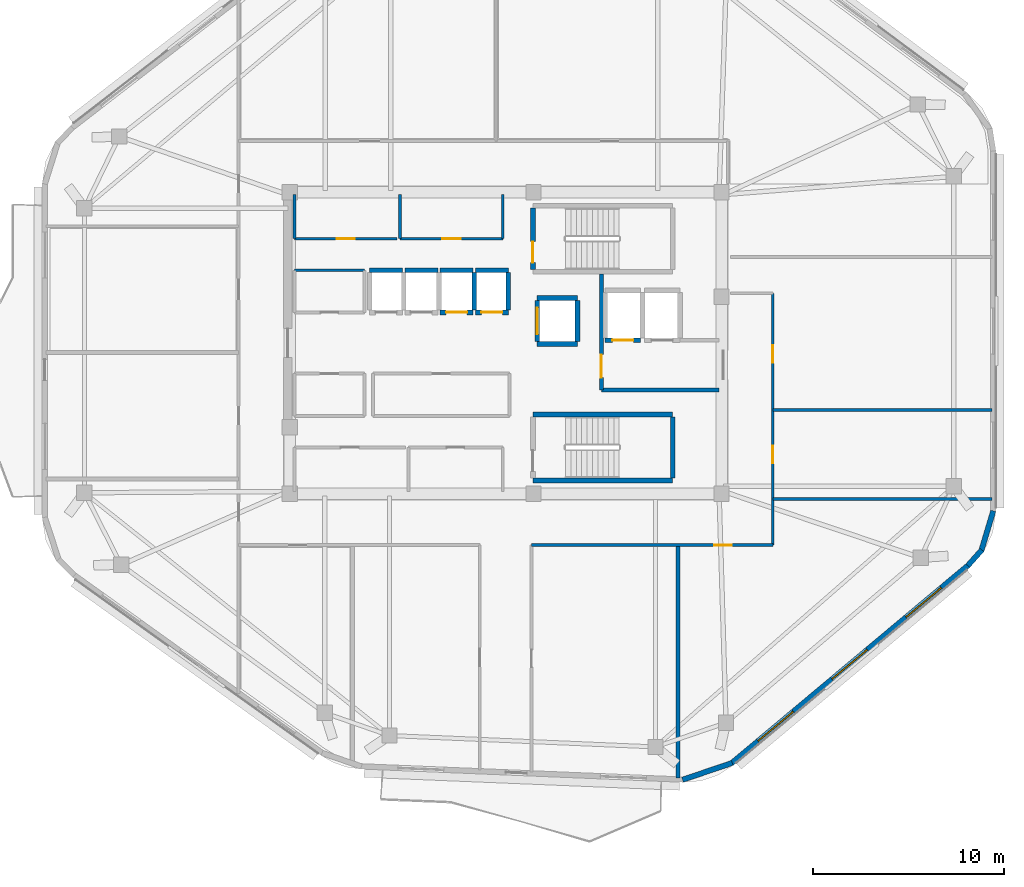
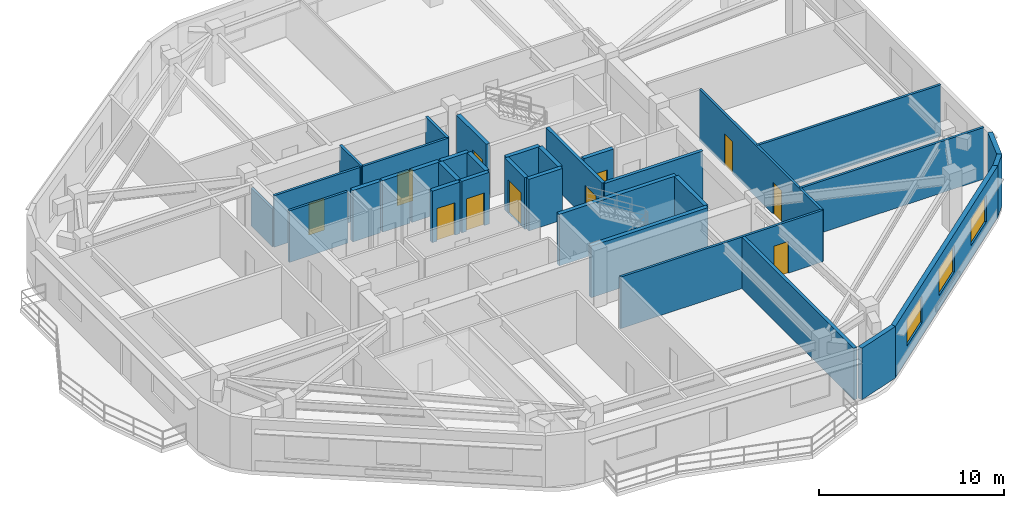
# One storey, part 4 of 9: 34 walls, 11 doors, 3 windows, 14 openings.
"""IFC4 building model written with IfcOpenShell, lengths in metres."""

from ifc_helpers import new_model, si_unit, direction, frame, frame_2d, origin, place, context, subcontext, project, spatial, rectangle, extrude, material, layer, layer_set, type_object, element, fill, save


model = new_model("IFC4")

# Units and contexts
model_context = context("Model", 3, precision=1e-05, world=origin(), true_north=direction((0.0, 1.0)))
body_context = subcontext(model_context, "Body", "Model", "MODEL_VIEW")
ifc_project = project(units=[si_unit("LENGTHUNIT", "METRE"), si_unit("AREAUNIT", "SQUARE_METRE"), si_unit("VOLUMEUNIT", "CUBIC_METRE"), si_unit("PLANEANGLEUNIT", "RADIAN"), si_unit("MASSUNIT", "GRAM", prefix="KILO")], contexts=[model_context])

# Site, building, storey
site_placement = place(None, origin())
site = spatial("IfcSite", under=ifc_project, at=site_placement, CompositionType="ELEMENT")
building_placement = place(site_placement, origin())
building = spatial("IfcBuilding", under=site, at=building_placement, Name="Zulverin Broadcast Headquarters", CompositionType="ELEMENT")
storey_placement = place(building_placement, frame((0.0, 0.0, 304.800048828125)))
storey = spatial("IfcBuildingStorey", under=building, at=storey_placement, Name="L78", CompositionType="ELEMENT", Elevation=304.800048828125)

# Wall
ifc_material_1 = material(Name="Acoustic drywall steel stud", Category="steel")
ifc_layer_1 = layer(ifc_material_1, 0.199951171875, Name="Acoustic drywall steel stud", Category="steel")
ifc_layer_set_1 = layer_set([ifc_layer_1], Name="Acoustic drywall steel stud")
wall_type_1 = type_object("IfcWallType", Name="WL-ACOU-200", PredefinedType="PARTITIONING", material=ifc_layer_set_1)
wall_1_placement = place(storey_placement, frame((46.0, 2.47705078125, 0.0), z_axis=(0.0, 0.0, 1.0), x_axis=(0.0, 1.0, 0.0)))
element("IfcWall", 1, at=wall_1_placement, inside=storey, type_object=wall_type_1, Name="L78 Room Partition Wall RP-03", PredefinedType="PARTITIONING", context=body_context, shape_type="SweptSolid", body=[
    extrude(rectangle(XDim=12.1728515625, YDim=0.199951171875, at=frame_2d((6.08642578125, 0.0))), origin(), (0.0, 0.0, 1.0), 3.39990234375),
])

# Wall, openings, windows
ifc_material_2 = material(Name="Insulated pale-metal clad concrete spandrel C40/50", Category="concrete")
ifc_layer_2 = layer(ifc_material_2, 0.280029296875, Name="Insulated pale-metal clad concrete spandrel C40/50", Category="concrete")
ifc_layer_set_2 = layer_set([ifc_layer_2], Name="Insulated pale-metal clad concrete spandrel C40/50")
wall_type_2 = type_object("IfcWallType", Name="WL-EXT-280", PredefinedType="STANDARD", material=ifc_layer_set_2)
wall_2_placement = place(storey_placement, frame((48.788818359375, 3.249755859375, 0.0), z_axis=(0.0, 0.0, 1.0), x_axis=(0.767032672101, 0.641608042288, 0.0)))
wall_2 = element("IfcWall", 2, at=wall_2_placement, inside=storey, type_object=wall_type_2, Name="L78 Pale-Metal Clad Spandrel Wall 2", PredefinedType="STANDARD", context=body_context, shape_type="SweptSolid", body=[
    extrude(rectangle(XDim=16.11328125, YDim=0.280029296875, at=frame_2d((8.056640625, 0.0))), origin(), (0.0, 0.0, 1.0), 3.39990234375),
])
opening_1_placement = place(wall_2_placement, frame((1.81884765625, 0.0, 0.89990234375)))
opening_1 = element("IfcOpeningElement", 3, at=opening_1_placement, cuts=wall_2, Name="Opening W-L78-E21", PredefinedType="OPENING", context=body_context, shape_type="SweptSolid", body=[
    extrude(rectangle(XDim=2.39990234375, YDim=1.75, at=frame_2d((1.199951171875, 0.875))), frame((0.0, 0.14990234375, 0.0), z_axis=(0.0, -1.0, 0.0), x_axis=(1.0, 0.0, 0.0)), (0.0, 0.0, 1.0), 0.300048828125),
])
opening_2_placement = place(wall_2_placement, frame((6.856689453125, 0.0, 0.89990234375)))
opening_2 = element("IfcOpeningElement", 4, at=opening_2_placement, cuts=wall_2, Name="Opening W-L78-E22", PredefinedType="OPENING", context=body_context, shape_type="SweptSolid", body=[
    extrude(rectangle(XDim=2.39990234375, YDim=1.75, at=frame_2d((1.199951171875, 0.875))), frame((0.0, 0.14990234375, 0.0), z_axis=(0.0, -1.0, 0.0), x_axis=(1.0, 0.0, 0.0)), (0.0, 0.0, 1.0), 0.300048828125),
])
opening_3_placement = place(wall_2_placement, frame((11.89453125, 0.0, 0.89990234375)))
opening_3 = element("IfcOpeningElement", 5, at=opening_3_placement, cuts=wall_2, Name="Opening W-L78-E23", PredefinedType="OPENING", context=body_context, shape_type="SweptSolid", body=[
    extrude(rectangle(XDim=2.39990234375, YDim=1.75, at=frame_2d((1.199951171875, 0.875))), frame((0.0, 0.14990234375, 0.0), z_axis=(0.0, -1.0, 0.0), x_axis=(1.0, 0.0, 0.0)), (0.0, 0.0, 1.0), 0.300048828125),
])
ifc_material_3 = material(Name="Pale anodized aluminium frame with solar-control low-E double glazing", Category="aluminium")
window_type = type_object("IfcWindowType", Name="WIN-RIB-2400", PartitioningType="SINGLE_PANEL", PredefinedType="WINDOW", material=ifc_material_3)
window_1_placement = place(opening_1_placement, origin())
window_1 = element("IfcWindow", 6, at=window_1_placement, inside=storey, type_object=window_type, Name="L78 Ribbon Glazing Window 2 1", OverallHeight=1.75, OverallWidth=2.39990234375, PartitioningType="SINGLE_PANEL", PredefinedType="WINDOW", context=body_context, shape_type="SweptSolid", body=[
    extrude(rectangle(XDim=2.39990234375, YDim=1.75, at=frame_2d((1.199951171875, 0.875))), frame((0.0, 0.030029296875, 0.0), z_axis=(0.0, -1.0, 0.0), x_axis=(1.0, 0.0, 0.0)), (0.0, 0.0, 1.0), 0.06005859375),
])
fill(opening_1, window_1)
window_2_placement = place(opening_2_placement, origin())
window_2 = element("IfcWindow", 7, at=window_2_placement, inside=storey, type_object=window_type, Name="L78 Ribbon Glazing Window 2 2", OverallHeight=1.75, OverallWidth=2.39990234375, PartitioningType="SINGLE_PANEL", PredefinedType="WINDOW", context=body_context, shape_type="SweptSolid", body=[
    extrude(rectangle(XDim=2.39990234375, YDim=1.75, at=frame_2d((1.199951171875, 0.875))), frame((0.0, 0.030029296875, 0.0), z_axis=(0.0, -1.0, 0.0), x_axis=(1.0, 0.0, 0.0)), (0.0, 0.0, 1.0), 0.06005859375),
])
fill(opening_2, window_2)
window_3_placement = place(opening_3_placement, origin())
window_3 = element("IfcWindow", 8, at=window_3_placement, inside=storey, type_object=window_type, Name="L78 Ribbon Glazing Window 2 3", OverallHeight=1.75, OverallWidth=2.39990234375, PartitioningType="SINGLE_PANEL", PredefinedType="WINDOW", context=body_context, shape_type="SweptSolid", body=[
    extrude(rectangle(XDim=2.39990234375, YDim=1.75, at=frame_2d((1.199951171875, 0.875))), frame((0.0, 0.030029296875, 0.0), z_axis=(0.0, -1.0, 0.0), x_axis=(1.0, 0.0, 0.0)), (0.0, 0.0, 1.0), 0.06005859375),
])
fill(opening_3, window_3)

# Walls
wall_3_placement = place(storey_placement, frame((46.239501953125, 2.392822265625, 0.0), z_axis=(0.0, 0.0, 1.0), x_axis=(0.946759165502, 0.321942669643, 0.0)))
element("IfcWall", 9, at=wall_3_placement, inside=storey, type_object=wall_type_2, Name="L78 Wind-Shaped Corner Spandrel Wall 1-1", PredefinedType="STANDARD", context=body_context, shape_type="SweptSolid", body=[
    extrude(rectangle(XDim=2.73974609375, YDim=0.280029296875, at=frame_2d((1.369873046875, 0.0))), origin(), (0.0, 0.0, 1.0), 3.39990234375),
])
wall_4_placement = place(storey_placement, frame((61.133544921875, 13.573974609375, 0.0), z_axis=(0.0, 0.0, 1.0), x_axis=(0.665804679247, 0.74612608123, 0.0)))
element("IfcWall", 10, at=wall_4_placement, inside=storey, type_object=wall_type_2, Name="L78 Wind-Shaped Corner Spandrel Wall 2-1", PredefinedType="STANDARD", context=body_context, shape_type="SweptSolid", body=[
    extrude(rectangle(XDim=1.103271484375, YDim=0.280029296875, at=frame_2d((0.5517578125, 0.0))), origin(), (0.0, 0.0, 1.0), 3.39990234375),
])
wall_5_placement = place(storey_placement, frame((61.838623046875, 14.34423828125, 0.0), z_axis=(0.0, 0.0, 1.0), x_axis=(0.287235049694, 0.957860128739, 0.0)))
element("IfcWall", 11, at=wall_5_placement, inside=storey, type_object=wall_type_2, Name="L78 Wind-Shaped Corner Spandrel Wall 2-2", PredefinedType="STANDARD", context=body_context, shape_type="SweptSolid", body=[
    extrude(rectangle(XDim=2.18359375, YDim=0.280029296875, at=frame_2d((1.091796875, 0.0))), origin(), (0.0, 0.0, 1.0), 3.39990234375),
])

# Wall, opening, door
ifc_material_4 = material(Name="Concrete C40/50", Category="concrete")
ifc_layer_3 = layer(ifc_material_4, 0.199951171875, Name="Concrete C40/50", Category="concrete")
ifc_layer_set_3 = layer_set([ifc_layer_3], Name="Concrete C40/50")
wall_type_3 = type_object("IfcWallType", Name="WL-FFL-200", PredefinedType="SOLIDWALL", material=ifc_layer_set_3)
wall_6_placement = place(storey_placement, frame((42.0, 22.75, 0.0), z_axis=(0.0, 0.0, 1.0), x_axis=(0.0, 1.0, 0.0)))
wall_6 = element("IfcWall", 12, at=wall_6_placement, inside=storey, type_object=wall_type_3, Name="L78 Firefighting Lift Lobby West Wall", PredefinedType="SOLIDWALL", context=body_context, shape_type="SweptSolid", body=[
    extrude(rectangle(XDim=6.050048828125, YDim=0.199951171875, at=frame_2d((3.02490234375, 0.0))), origin(), (0.0, 0.0, 1.0), 3.39990234375),
])
opening_4_placement = place(wall_6_placement, frame((0.64990234375, 0.0, 0.0)))
opening_4 = element("IfcOpeningElement", 13, at=opening_4_placement, cuts=wall_6, Name="Opening D-L78-FFLW", PredefinedType="OPENING", context=body_context, shape_type="SweptSolid", body=[
    extrude(rectangle(XDim=1.199951171875, YDim=2.14990234375, at=frame_2d((0.60009765625, 1.074951171875))), frame((0.0, 0.10986328125, 0.0), z_axis=(0.0, -1.0, 0.0), x_axis=(1.0, 0.0, 0.0)), (0.0, 0.0, 1.0), 0.219970703125),
])
ifc_material_5 = material(Name="Fire-rated steel leaf and frame", Category="steel")
door_type_1 = type_object("IfcDoorType", Name="DR-FFL-1200", OperationType="SINGLE_SWING_RIGHT", PredefinedType="DOOR", material=ifc_material_5)
door_1_placement = place(opening_4_placement, origin())
door_1 = element("IfcDoor", 14, at=door_1_placement, inside=storey, type_object=door_type_1, Name="L78 Firefighting Lift Lobby Door", OperationType="SINGLE_SWING_RIGHT", OverallHeight=2.14990234375, OverallWidth=1.199951171875, PredefinedType="DOOR", context=body_context, shape_type="SweptSolid", body=[
    extrude(rectangle(XDim=1.199951171875, YDim=2.14990234375, at=frame_2d((0.60009765625, 1.074951171875))), frame((0.0, 0.02490234375, 0.0), z_axis=(0.0, -1.0, 0.0), x_axis=(1.0, 0.0, 0.0)), (0.0, 0.0, 1.0), 0.050048828125),
])
fill(opening_4, door_1)

# Wall
wall_7_placement = place(storey_placement, frame((42.0, 22.75, 0.0), z_axis=(0.0, 0.0, 1.0), x_axis=(1.0, 0.0, 0.0)))
element("IfcWall", 15, at=wall_7_placement, inside=storey, type_object=wall_type_3, Name="L78 Firefighting Lift Lobby South Wall", PredefinedType="SOLIDWALL", context=body_context, shape_type="SweptSolid", body=[
    extrude(rectangle(XDim=6.14990234375, YDim=0.199951171875, at=frame_2d((3.074951171875, 0.0))), origin(), (0.0, 0.0, 1.0), 3.39990234375),
])

# Wall, opening, door
ifc_material_6 = material(Name="Fire-rated gypsum stud partition", Category="gypsum")
ifc_layer_4 = layer(ifc_material_6, 0.14990234375, Name="Fire-rated gypsum stud partition", Category="gypsum")
ifc_layer_set_4 = layer_set([ifc_layer_4], Name="Fire-rated gypsum stud partition")
wall_type_4 = type_object("IfcWallType", Name="WL-PART-150", PredefinedType="PARTITIONING", material=ifc_layer_set_4)
wall_8_placement = place(storey_placement, frame((25.969970703125, 30.64990234375, 0.0), z_axis=(0.0, 0.0, 1.0), x_axis=(1.0, 0.0, 0.0)))
wall_8 = element("IfcWall", 16, at=wall_8_placement, inside=storey, type_object=wall_type_4, Name="L78 Core Male WC Front Wall", PredefinedType="PARTITIONING", context=body_context, shape_type="SweptSolid", body=[
    extrude(rectangle(XDim=5.360107421875, YDim=0.14990234375, at=frame_2d((2.68017578125, 0.0))), origin(), (0.0, 0.0, 1.0), 3.39990234375),
])
opening_5_placement = place(wall_8_placement, frame((2.205078125, 0.0, 0.0)))
opening_5 = element("IfcOpeningElement", 17, at=opening_5_placement, cuts=wall_8, Name="Opening D-L78-NC1", PredefinedType="OPENING", context=body_context, shape_type="SweptSolid", body=[
    extrude(rectangle(XDim=0.949951171875, YDim=2.10009765625, at=frame_2d((0.47509765625, 1.050048828125))), frame((0.0, 0.0849609375, 0.0), z_axis=(0.0, -1.0, 0.0), x_axis=(1.0, 0.0, 0.0)), (0.0, 0.0, 1.0), 0.169921875),
])
ifc_material_7 = material(Name="Fire-rated moisture-resistant laminate leaf", Category="wood")
door_type_2 = type_object("IfcDoorType", Name="DR-WC-950", OperationType="SINGLE_SWING_LEFT", PredefinedType="DOOR", material=ifc_material_7)
door_2_placement = place(opening_5_placement, origin())
door_2 = element("IfcDoor", 18, at=door_2_placement, inside=storey, type_object=door_type_2, Name="L78 Male WC Door", OperationType="SINGLE_SWING_LEFT", OverallHeight=2.10009765625, OverallWidth=0.949951171875, PredefinedType="DOOR", context=body_context, shape_type="SweptSolid", body=[
    extrude(rectangle(XDim=0.949951171875, YDim=2.10009765625, at=frame_2d((0.47509765625, 1.050048828125))), frame((0.0, 0.02490234375, 0.0), z_axis=(0.0, -1.0, 0.0), x_axis=(1.0, 0.0, 0.0)), (0.0, 0.0, 1.0), 0.050048828125),
])
fill(opening_5, door_2)

# Wall
wall_9_placement = place(storey_placement, frame((25.969970703125, 30.64990234375, 0.0), z_axis=(0.0, 0.0, 1.0), x_axis=(0.0, 1.0, 0.0)))
element("IfcWall", 19, at=wall_9_placement, inside=storey, type_object=wall_type_4, Name="L78 Core Male WC West Wall", PredefinedType="PARTITIONING", context=body_context, shape_type="SweptSolid", body=[
    extrude(rectangle(XDim=2.300048828125, YDim=0.14990234375, at=frame_2d((1.14990234375, 0.0))), origin(), (0.0, 0.0, 1.0), 2.5),
])

# Wall, opening, door
wall_10_placement = place(storey_placement, frame((31.489990234375, 30.64990234375, 0.0), z_axis=(0.0, 0.0, 1.0), x_axis=(1.0, 0.0, 0.0)))
wall_10 = element("IfcWall", 20, at=wall_10_placement, inside=storey, type_object=wall_type_4, Name="L78 Core Accessible WC Front Wall", PredefinedType="PARTITIONING", context=body_context, shape_type="SweptSolid", body=[
    extrude(rectangle(XDim=5.360107421875, YDim=0.14990234375, at=frame_2d((2.68017578125, 0.0))), origin(), (0.0, 0.0, 1.0), 3.39990234375),
])
opening_6_placement = place(wall_10_placement, frame((2.205078125, 0.0, 0.0)))
opening_6 = element("IfcOpeningElement", 21, at=opening_6_placement, cuts=wall_10, Name="Opening D-L78-NC2", PredefinedType="OPENING", context=body_context, shape_type="SweptSolid", body=[
    extrude(rectangle(XDim=0.949951171875, YDim=2.10009765625, at=frame_2d((0.47509765625, 1.050048828125))), frame((0.0, 0.0849609375, 0.0), z_axis=(0.0, -1.0, 0.0), x_axis=(1.0, 0.0, 0.0)), (0.0, 0.0, 1.0), 0.169921875),
])
door_3_placement = place(opening_6_placement, origin())
door_3 = element("IfcDoor", 22, at=door_3_placement, inside=storey, type_object=door_type_2, Name="L78 Accessible WC Door", OperationType="SINGLE_SWING_RIGHT", OverallHeight=2.10009765625, OverallWidth=0.949951171875, PredefinedType="DOOR", context=body_context, shape_type="SweptSolid", body=[
    extrude(rectangle(XDim=0.949951171875, YDim=2.10009765625, at=frame_2d((0.47509765625, 1.050048828125))), frame((0.0, 0.02490234375, 0.0), z_axis=(0.0, -1.0, 0.0), x_axis=(1.0, 0.0, 0.0)), (0.0, 0.0, 1.0), 0.050048828125),
])
fill(opening_6, door_3)

# Walls
for number, where, z_axis, x_axis, name in (
    (23, (31.489990234375, 30.64990234375, 0.0), (0.0, 0.0, 1.0), (0.0, 1.0, 0.0), "L78 Core Accessible WC West Wall"),
    (24, (36.85009765625, 30.64990234375, 0.0), (0.0, 0.0, 1.0), (0.0, 1.0, 0.0), "L78 Core Accessible WC East Wall"),
):
    element("IfcWall", number, at=place(storey_placement, frame(where, z_axis=z_axis, x_axis=x_axis)), inside=storey, type_object=wall_type_4, Name=name, PredefinedType="PARTITIONING", context=body_context, shape_type="SweptSolid", body=[
        extrude(rectangle(XDim=2.300048828125, YDim=0.14990234375, at=frame_2d((1.14990234375, 0.0))), origin(), (0.0, 0.0, 1.0), 3.39990234375),
    ])
wall_11_placement = place(storey_placement, frame((25.969970703125, 29.0, 0.0), z_axis=(0.0, 0.0, 1.0), x_axis=(1.0, 0.0, 0.0)))
element("IfcWall", 25, at=wall_11_placement, inside=storey, type_object=wall_type_4, Name="L78 Broadcast Signal Patch Room N Wall", PredefinedType="PARTITIONING", context=body_context, shape_type="SweptSolid", body=[
    extrude(rectangle(XDim=3.650146484375, YDim=0.14990234375, at=frame_2d((1.8251953125, 0.0))), origin(), (0.0, 0.0, 1.0), 3.39990234375),
])

# Wall, openings, doors
wall_12_placement = place(storey_placement, frame((50.949951171875, 14.64990234375, 0.0), z_axis=(0.0, 0.0, 1.0), x_axis=(0.0, 1.0, 0.0)))
wall_12 = element("IfcWall", 26, at=wall_12_placement, inside=storey, type_object=wall_type_4, Name="L78 Gallery Partition Wall CG-01", PredefinedType="PARTITIONING", context=body_context, shape_type="SweptSolid", body=[
    extrude(rectangle(XDim=13.150146484375, YDim=0.14990234375, at=frame_2d((6.5751953125, 0.0))), origin(), (0.0, 0.0, 1.0), 3.39990234375),
])
opening_7_placement = place(wall_12_placement, frame((4.27490234375, 0.0, 0.0)))
opening_7 = element("IfcOpeningElement", 27, at=opening_7_placement, cuts=wall_12, Name="Opening D-L78-11", PredefinedType="OPENING", context=body_context, shape_type="SweptSolid", body=[
    extrude(rectangle(XDim=0.89990234375, YDim=2.10009765625, at=frame_2d((0.449951171875, 1.050048828125))), frame((0.0, 0.0849609375, 0.0), z_axis=(0.0, -1.0, 0.0), x_axis=(1.0, 0.0, 0.0)), (0.0, 0.0, 1.0), 0.169921875),
])
opening_8_placement = place(wall_12_placement, frame((9.530029296875, 0.0, 0.0)))
opening_8 = element("IfcOpeningElement", 28, at=opening_8_placement, cuts=wall_12, Name="Opening D-L78-12", PredefinedType="OPENING", context=body_context, shape_type="SweptSolid", body=[
    extrude(rectangle(XDim=0.89990234375, YDim=2.10009765625, at=frame_2d((0.449951171875, 1.050048828125))), frame((0.0, 0.0849609375, 0.0), z_axis=(0.0, -1.0, 0.0), x_axis=(1.0, 0.0, 0.0)), (0.0, 0.0, 1.0), 0.169921875),
])
ifc_material_8 = material(Name="Fire-rated hardwood veneer timber leaf", Category="wood")
door_type_3 = type_object("IfcDoorType", Name="DR-ROOM-900", OperationType="SINGLE_SWING_RIGHT", PredefinedType="DOOR", material=ifc_material_8)
door_4_placement = place(opening_7_placement, origin())
door_4 = element("IfcDoor", 29, at=door_4_placement, inside=storey, type_object=door_type_3, Name="L78 Broadcast Heritage Museum Door", OperationType="SINGLE_SWING_RIGHT", OverallHeight=2.10009765625, OverallWidth=0.89990234375, PredefinedType="DOOR", context=body_context, shape_type="SweptSolid", body=[
    extrude(rectangle(XDim=0.89990234375, YDim=2.10009765625, at=frame_2d((0.449951171875, 1.050048828125))), frame((0.0, 0.02490234375, 0.0), z_axis=(0.0, -1.0, 0.0), x_axis=(1.0, 0.0, 0.0)), (0.0, 0.0, 1.0), 0.050048828125),
])
fill(opening_7, door_4)
door_5_placement = place(opening_8_placement, origin())
door_5 = element("IfcDoor", 30, at=door_5_placement, inside=storey, type_object=door_type_3, Name="L78 Executive Screening Suite Door", OperationType="SINGLE_SWING_LEFT", OverallHeight=2.10009765625, OverallWidth=0.89990234375, PredefinedType="DOOR", context=body_context, shape_type="SweptSolid", body=[
    extrude(rectangle(XDim=0.89990234375, YDim=2.10009765625, at=frame_2d((0.449951171875, 1.050048828125))), frame((0.0, 0.02490234375, 0.0), z_axis=(0.0, -1.0, 0.0), x_axis=(1.0, 0.0, 0.0)), (0.0, 0.0, 1.0), 0.050048828125),
])
fill(opening_8, door_5)

# Wall, opening, door
wall_13_placement = place(storey_placement, frame((38.35009765625, 14.64990234375, 0.0), z_axis=(0.0, 0.0, 1.0), x_axis=(1.0, 0.0, 0.0)))
wall_13 = element("IfcWall", 31, at=wall_13_placement, inside=storey, type_object=wall_type_4, Name="L78 Gallery Partition Wall CG-10", PredefinedType="PARTITIONING", context=body_context, shape_type="SweptSolid", body=[
    extrude(rectangle(XDim=12.599853515625, YDim=0.14990234375, at=frame_2d((6.2998046875, 0.0))), origin(), (0.0, 0.0, 1.0), 3.39990234375),
])
opening_9_placement = place(wall_13_placement, frame((9.554931640625, 0.0, 0.0)))
opening_9 = element("IfcOpeningElement", 32, at=opening_9_placement, cuts=wall_13, Name="Opening D-L78-06", PredefinedType="OPENING", context=body_context, shape_type="SweptSolid", body=[
    extrude(rectangle(XDim=0.89990234375, YDim=2.10009765625, at=frame_2d((0.449951171875, 1.050048828125))), frame((0.0, 0.0849609375, 0.0), z_axis=(0.0, -1.0, 0.0), x_axis=(1.0, 0.0, 0.0)), (0.0, 0.0, 1.0), 0.169921875),
])
door_6_placement = place(opening_9_placement, origin())
door_6 = element("IfcDoor", 33, at=door_6_placement, inside=storey, type_object=door_type_3, Name="L78 Panorama Cafe & Bar Door", OperationType="SINGLE_SWING_LEFT", OverallHeight=2.10009765625, OverallWidth=0.89990234375, PredefinedType="DOOR", context=body_context, shape_type="SweptSolid", body=[
    extrude(rectangle(XDim=0.89990234375, YDim=2.10009765625, at=frame_2d((0.449951171875, 1.050048828125))), frame((0.0, 0.02490234375, 0.0), z_axis=(0.0, -1.0, 0.0), x_axis=(1.0, 0.0, 0.0)), (0.0, 0.0, 1.0), 0.050048828125),
])
fill(opening_9, door_6)

# Walls
for number, where, z_axis, x_axis, name in (
    (34, (50.949951171875, 17.050048828125, 0.0), (0.0, 0.0, 1.0), (1.0, 0.0, 0.0), "L78 Room Partition Wall RP-11"),
    (35, (50.949951171875, 21.699951171875, 0.0), (0.0, 0.0, 1.0), (1.0, 0.0, 0.0), "L78 Room Partition Wall RP-13"),
):
    element("IfcWall", number, at=place(storey_placement, frame(where, z_axis=z_axis, x_axis=x_axis)), inside=storey, type_object=wall_type_4, Name=name, PredefinedType="PARTITIONING", context=body_context, shape_type="SweptSolid", body=[
        extrude(rectangle(XDim=11.445068359375, YDim=0.14990234375, at=frame_2d((5.72265625, 0.0))), origin(), (0.0, 0.0, 1.0), 3.39990234375),
    ])

# Wall, opening, door
ifc_material_9 = material(Name="Concrete C50/60", Category="concrete")
ifc_layer_5 = layer(ifc_material_9, 0.25, Name="Concrete C50/60", Category="concrete")
ifc_layer_set_5 = layer_set([ifc_layer_5], Name="Concrete C50/60")
wall_type_5 = type_object("IfcWallType", Name="WL-SHAFT-250", PredefinedType="SHEAR", material=ifc_layer_set_5)
wall_14_placement = place(storey_placement, frame((38.425048828125, 29.050048828125, 0.0), z_axis=(0.0, 0.0, 1.0), x_axis=(0.0, 1.0, 0.0)))
wall_14 = element("IfcWall", 36, at=wall_14_placement, inside=storey, type_object=wall_type_5, Name="L78 ST-1 Enclosure Wall W", PredefinedType="SHEAR", context=body_context, shape_type="SweptSolid", body=[
    extrude(rectangle(XDim=3.199951171875, YDim=0.25, at=frame_2d((1.60009765625, 0.0))), origin(), (0.0, 0.0, 1.0), 3.39990234375),
])
opening_10_placement = place(wall_14_placement, frame((0.35009765625, 0.0, 0.0)))
opening_10 = element("IfcOpeningElement", 37, at=opening_10_placement, cuts=wall_14, Name="Opening D-L78-ST-1", PredefinedType="OPENING", context=body_context, shape_type="SweptSolid", body=[
    extrude(rectangle(XDim=1.10009765625, YDim=2.14990234375, at=frame_2d((0.550048828125, 1.074951171875))), frame((0.0, 0.135009765625, 0.0), z_axis=(0.0, -1.0, 0.0), x_axis=(1.0, 0.0, 0.0)), (0.0, 0.0, 1.0), 0.27001953125),
])
door_type_4 = type_object("IfcDoorType", Name="DR-STAIR-1100", OperationType="SINGLE_SWING_LEFT", PredefinedType="DOOR", material=ifc_material_5)
door_7_placement = place(opening_10_placement, origin())
door_7 = element("IfcDoor", 38, at=door_7_placement, inside=storey, type_object=door_type_4, Name="L78 Exit Stair ST-1 Fire Door", OperationType="SINGLE_SWING_LEFT", OverallHeight=2.14990234375, OverallWidth=1.10009765625, PredefinedType="DOOR", context=body_context, shape_type="SweptSolid", body=[
    extrude(rectangle(XDim=1.10009765625, YDim=2.14990234375, at=frame_2d((0.550048828125, 1.074951171875))), frame((0.0, 0.02490234375, 0.0), z_axis=(0.0, -1.0, 0.0), x_axis=(1.0, 0.0, 0.0)), (0.0, 0.0, 1.0), 0.050048828125),
])
fill(opening_10, door_7)

# Walls
for number, where, z_axis, x_axis, name in (
    (39, (38.425048828125, 18.02490234375, 0.0), (0.0, 0.0, 1.0), (1.0, 0.0, 0.0), "L78 ST-2 Enclosure Wall S"),
    (40, (38.425048828125, 21.47509765625, 0.0), (0.0, 0.0, 1.0), (1.0, 0.0, 0.0), "L78 ST-2 Enclosure Wall N"),
):
    element("IfcWall", number, at=place(storey_placement, frame(where, z_axis=z_axis, x_axis=x_axis)), inside=storey, type_object=wall_type_5, Name=name, PredefinedType="SHEAR", context=body_context, shape_type="SweptSolid", body=[
        extrude(rectangle(XDim=7.300048828125, YDim=0.25, at=frame_2d((3.64990234375, 0.0))), origin(), (0.0, 0.0, 1.0), 3.39990234375),
    ])
wall_15_placement = place(storey_placement, frame((45.72509765625, 18.14990234375, 0.0), z_axis=(0.0, 0.0, 1.0), x_axis=(0.0, 1.0, 0.0)))
element("IfcWall", 41, at=wall_15_placement, inside=storey, type_object=wall_type_5, Name="L78 ST-2 Enclosure Wall E", PredefinedType="SHEAR", context=body_context, shape_type="SweptSolid", body=[
    extrude(rectangle(XDim=3.2001953125, YDim=0.25, at=frame_2d((1.60009765625, 0.0))), origin(), (0.0, 0.0, 1.0), 3.39990234375),
])
wall_16_placement = place(storey_placement, frame((29.89990234375, 29.0, 0.0), z_axis=(0.0, 0.0, 1.0), x_axis=(1.0, 0.0, 0.0)))
element("IfcWall", 42, at=wall_16_placement, inside=storey, type_object=wall_type_5, Name="L78 Lift PL-H1 Shaft Wall N", PredefinedType="SHEAR", context=body_context, shape_type="SweptSolid", body=[
    extrude(rectangle(XDim=1.72021484375, YDim=0.25, at=frame_2d((0.860107421875, 0.0))), origin(), (0.0, 0.0, 1.0), 3.39990234375),
])
wall_17_placement = place(storey_placement, frame((31.739990234375, 29.0, 0.0), z_axis=(0.0, 0.0, 1.0), x_axis=(1.0, 0.0, 0.0)))
element("IfcWall", 43, at=wall_17_placement, inside=storey, type_object=wall_type_5, Name="L78 Lift PL-H2 Shaft Wall N", PredefinedType="SHEAR", context=body_context, shape_type="SweptSolid", body=[
    extrude(rectangle(XDim=1.719970703125, YDim=0.25, at=frame_2d((0.85986328125, 0.0))), origin(), (0.0, 0.0, 1.0), 3.39990234375),
])

# Wall, opening, door
wall_18_placement = place(storey_placement, frame((33.580078125, 26.800048828125, 0.0), z_axis=(0.0, 0.0, 1.0), x_axis=(1.0, 0.0, 0.0)))
wall_18 = element("IfcWall", 44, at=wall_18_placement, inside=storey, type_object=wall_type_5, Name="L78 Lift PL-H3 Shaft Wall S", PredefinedType="SHEAR", context=body_context, shape_type="SweptSolid", body=[
    extrude(rectangle(XDim=1.719970703125, YDim=0.25, at=frame_2d((0.85986328125, 0.0))), origin(), (0.0, 0.0, 1.0), 3.39990234375),
])
opening_11_placement = place(wall_18_placement, frame((0.31005859375, 0.0, 0.0)))
opening_11 = element("IfcOpeningElement", 45, at=opening_11_placement, cuts=wall_18, Name="Opening LD-PL-H3-L78", PredefinedType="OPENING", context=body_context, shape_type="SweptSolid", body=[
    extrude(rectangle(XDim=1.10009765625, YDim=2.14990234375, at=frame_2d((0.550048828125, 1.074951171875))), frame((0.0, 0.135009765625, 0.0), z_axis=(0.0, -1.0, 0.0), x_axis=(1.0, 0.0, 0.0)), (0.0, 0.0, 1.0), 0.27001953125),
])
ifc_material_10 = material(Name="Brushed stainless steel landing", Category="steel")
door_type_5 = type_object("IfcDoorType", Name="LD-PASS-1100", OperationType="DOUBLE_DOOR_SLIDING", PredefinedType="DOOR", material=ifc_material_10)
door_8_placement = place(opening_11_placement, origin())
door_8 = element("IfcDoor", 46, at=door_8_placement, inside=storey, type_object=door_type_5, Name="L78 Lift PL-H3 Sliding Landing Door", OperationType="DOUBLE_DOOR_SLIDING", OverallHeight=2.14990234375, OverallWidth=1.10009765625, PredefinedType="DOOR", context=body_context, shape_type="SweptSolid", body=[
    extrude(rectangle(XDim=1.10009765625, YDim=2.14990234375, at=frame_2d((0.550048828125, 1.074951171875))), frame((0.0, 0.02490234375, 0.0), z_axis=(0.0, -1.0, 0.0), x_axis=(1.0, 0.0, 0.0)), (0.0, 0.0, 1.0), 0.050048828125),
])
fill(opening_11, door_8)

# Walls
wall_19_placement = place(storey_placement, frame((33.580078125, 29.0, 0.0), z_axis=(0.0, 0.0, 1.0), x_axis=(1.0, 0.0, 0.0)))
element("IfcWall", 47, at=wall_19_placement, inside=storey, type_object=wall_type_5, Name="L78 Lift PL-H3 Shaft Wall N", PredefinedType="SHEAR", context=body_context, shape_type="SweptSolid", body=[
    extrude(rectangle(XDim=1.719970703125, YDim=0.25, at=frame_2d((0.85986328125, 0.0))), origin(), (0.0, 0.0, 1.0), 3.39990234375),
])
wall_20_placement = place(storey_placement, frame((35.360107421875, 26.919921875, 0.0), z_axis=(0.0, 0.0, 1.0), x_axis=(0.0, 1.0, 0.0)))
element("IfcWall", 48, at=wall_20_placement, inside=storey, type_object=wall_type_5, Name="L78 Lift PL-H3 Shaft Wall E", PredefinedType="SHEAR", context=body_context, shape_type="SweptSolid", body=[
    extrude(rectangle(XDim=1.9599609375, YDim=0.25, at=frame_2d((0.97998046875, 0.0))), origin(), (0.0, 0.0, 1.0), 3.39990234375),
])

# Wall, opening, door
wall_21_placement = place(storey_placement, frame((35.419921875, 26.800048828125, 0.0), z_axis=(0.0, 0.0, 1.0), x_axis=(1.0, 0.0, 0.0)))
wall_21 = element("IfcWall", 49, at=wall_21_placement, inside=storey, type_object=wall_type_5, Name="L78 Lift PL-H4 Shaft Wall S", PredefinedType="SHEAR", context=body_context, shape_type="SweptSolid", body=[
    extrude(rectangle(XDim=1.719970703125, YDim=0.25, at=frame_2d((0.85986328125, 0.0))), origin(), (0.0, 0.0, 1.0), 3.39990234375),
])
opening_12_placement = place(wall_21_placement, frame((0.31005859375, 0.0, 0.0)))
opening_12 = element("IfcOpeningElement", 50, at=opening_12_placement, cuts=wall_21, Name="Opening LD-PL-H4-L78", PredefinedType="OPENING", context=body_context, shape_type="SweptSolid", body=[
    extrude(rectangle(XDim=1.10009765625, YDim=2.14990234375, at=frame_2d((0.550048828125, 1.074951171875))), frame((0.0, 0.135009765625, 0.0), z_axis=(0.0, -1.0, 0.0), x_axis=(1.0, 0.0, 0.0)), (0.0, 0.0, 1.0), 0.27001953125),
])
door_9_placement = place(opening_12_placement, origin())
door_9 = element("IfcDoor", 51, at=door_9_placement, inside=storey, type_object=door_type_5, Name="L78 Lift PL-H4 Sliding Landing Door", OperationType="DOUBLE_DOOR_SLIDING", OverallHeight=2.14990234375, OverallWidth=1.10009765625, PredefinedType="DOOR", context=body_context, shape_type="SweptSolid", body=[
    extrude(rectangle(XDim=1.10009765625, YDim=2.14990234375, at=frame_2d((0.550048828125, 1.074951171875))), frame((0.0, 0.02490234375, 0.0), z_axis=(0.0, -1.0, 0.0), x_axis=(1.0, 0.0, 0.0)), (0.0, 0.0, 1.0), 0.050048828125),
])
fill(opening_12, door_9)

# Walls
wall_22_placement = place(storey_placement, frame((35.419921875, 29.0, 0.0), z_axis=(0.0, 0.0, 1.0), x_axis=(1.0, 0.0, 0.0)))
element("IfcWall", 52, at=wall_22_placement, inside=storey, type_object=wall_type_5, Name="L78 Lift PL-H4 Shaft Wall N", PredefinedType="SHEAR", context=body_context, shape_type="SweptSolid", body=[
    extrude(rectangle(XDim=1.719970703125, YDim=0.25, at=frame_2d((0.85986328125, 0.0))), origin(), (0.0, 0.0, 1.0), 3.39990234375),
])
wall_23_placement = place(storey_placement, frame((37.139892578125, 26.919921875, 0.0), z_axis=(0.0, 0.0, 1.0), x_axis=(0.0, 1.0, 0.0)))
element("IfcWall", 53, at=wall_23_placement, inside=storey, type_object=wall_type_5, Name="L78 Lift PL-H4 Shaft Wall E", PredefinedType="SHEAR", context=body_context, shape_type="SweptSolid", body=[
    extrude(rectangle(XDim=1.9599609375, YDim=0.25, at=frame_2d((0.97998046875, 0.0))), origin(), (0.0, 0.0, 1.0), 3.39990234375),
])

# Wall, opening, door
wall_24_placement = place(storey_placement, frame((42.199951171875, 25.35009765625, 0.0), z_axis=(0.0, 0.0, 1.0), x_axis=(1.0, 0.0, 0.0)))
wall_24 = element("IfcWall", 54, at=wall_24_placement, inside=storey, type_object=wall_type_5, Name="L78 Lift FFL-1 Shaft Wall S", PredefinedType="SHEAR", context=body_context, shape_type="SweptSolid", body=[
    extrude(rectangle(XDim=1.85009765625, YDim=0.25, at=frame_2d((0.925048828125, 0.0))), origin(), (0.0, 0.0, 1.0), 3.39990234375),
])
opening_13_placement = place(wall_24_placement, frame((0.375, 0.0, 0.0)))
opening_13 = element("IfcOpeningElement", 55, at=opening_13_placement, cuts=wall_24, Name="Opening LD-FFL-1-L78", PredefinedType="OPENING", context=body_context, shape_type="SweptSolid", body=[
    extrude(rectangle(XDim=1.10009765625, YDim=2.14990234375, at=frame_2d((0.550048828125, 1.074951171875))), frame((0.0, 0.135009765625, 0.0), z_axis=(0.0, -1.0, 0.0), x_axis=(1.0, 0.0, 0.0)), (0.0, 0.0, 1.0), 0.27001953125),
])
ifc_material_11 = material(Name="Fire-rated stainless landing door", Category="steel")
door_type_6 = type_object("IfcDoorType", Name="LD-FFL-1100", OperationType="DOUBLE_DOOR_SLIDING", PredefinedType="DOOR", material=ifc_material_11)
door_10_placement = place(opening_13_placement, origin())
door_10 = element("IfcDoor", 56, at=door_10_placement, inside=storey, type_object=door_type_6, Name="L78 Lift FFL-1 Sliding Landing Door", OperationType="DOUBLE_DOOR_SLIDING", OverallHeight=2.14990234375, OverallWidth=1.10009765625, PredefinedType="DOOR", context=body_context, shape_type="SweptSolid", body=[
    extrude(rectangle(XDim=1.10009765625, YDim=2.14990234375, at=frame_2d((0.550048828125, 1.074951171875))), frame((0.0, 0.02490234375, 0.0), z_axis=(0.0, -1.0, 0.0), x_axis=(1.0, 0.0, 0.0)), (0.0, 0.0, 1.0), 0.050048828125),
])
fill(opening_13, door_10)

# Walls
for number, where, z_axis, x_axis, name in (
    (57, (38.64990234375, 25.14990234375, 0.0), (0.0, 0.0, 1.0), (1.0, 0.0, 0.0), "L78 Lift SVL-1 Shaft Wall S"),
    (58, (38.64990234375, 27.550048828125, 0.0), (0.0, 0.0, 1.0), (1.0, 0.0, 0.0), "L78 Lift SVL-1 Shaft Wall N"),
):
    element("IfcWall", number, at=place(storey_placement, frame(where, z_axis=z_axis, x_axis=x_axis)), inside=storey, type_object=wall_type_5, Name=name, PredefinedType="SHEAR", context=body_context, shape_type="SweptSolid", body=[
        extrude(rectangle(XDim=2.10009765625, YDim=0.25, at=frame_2d((1.050048828125, 0.0))), origin(), (0.0, 0.0, 1.0), 3.39990234375),
    ])

# Wall, opening, door
wall_25_placement = place(storey_placement, frame((38.64990234375, 25.27001953125, 0.0), z_axis=(0.0, 0.0, 1.0), x_axis=(0.0, 1.0, 0.0)))
wall_25 = element("IfcWall", 59, at=wall_25_placement, inside=storey, type_object=wall_type_5, Name="L78 Lift SVL-1 Shaft Wall W", PredefinedType="SHEAR", context=body_context, shape_type="SweptSolid", body=[
    extrude(rectangle(XDim=2.159912109375, YDim=0.25, at=frame_2d((1.080078125, 0.0))), origin(), (0.0, 0.0, 1.0), 3.39990234375),
])
opening_14_placement = place(wall_25_placement, frame((0.3798828125, 0.0, 0.0)))
opening_14 = element("IfcOpeningElement", 60, at=opening_14_placement, cuts=wall_25, Name="Opening LD-SVL-1-L78", PredefinedType="OPENING", context=body_context, shape_type="SweptSolid", body=[
    extrude(rectangle(XDim=1.39990234375, YDim=2.199951171875, at=frame_2d((0.699951171875, 1.10009765625))), frame((0.0, 0.135009765625, 0.0), z_axis=(0.0, -1.0, 0.0), x_axis=(1.0, 0.0, 0.0)), (0.0, 0.0, 1.0), 0.27001953125),
])
ifc_material_12 = material(Name="Heavy-duty stainless landing door", Category="steel")
door_type_7 = type_object("IfcDoorType", Name="LD-GOODS-1400", OperationType="DOUBLE_DOOR_SLIDING", PredefinedType="DOOR", material=ifc_material_12)
door_11_placement = place(opening_14_placement, origin())
door_11 = element("IfcDoor", 61, at=door_11_placement, inside=storey, type_object=door_type_7, Name="L78 Lift SVL-1 Sliding Landing Door", OperationType="DOUBLE_DOOR_SLIDING", OverallHeight=2.199951171875, OverallWidth=1.39990234375, PredefinedType="DOOR", context=body_context, shape_type="SweptSolid", body=[
    extrude(rectangle(XDim=1.39990234375, YDim=2.199951171875, at=frame_2d((0.699951171875, 1.10009765625))), frame((0.0, 0.02490234375, 0.0), z_axis=(0.0, -1.0, 0.0), x_axis=(1.0, 0.0, 0.0)), (0.0, 0.0, 1.0), 0.050048828125),
])
fill(opening_14, door_11)

# Wall
wall_26_placement = place(storey_placement, frame((40.75, 25.27001953125, 0.0), z_axis=(0.0, 0.0, 1.0), x_axis=(0.0, 1.0, 0.0)))
element("IfcWall", 62, at=wall_26_placement, inside=storey, type_object=wall_type_5, Name="L78 Lift SVL-1 Shaft Wall E", PredefinedType="SHEAR", context=body_context, shape_type="SweptSolid", body=[
    extrude(rectangle(XDim=2.159912109375, YDim=0.25, at=frame_2d((1.080078125, 0.0))), origin(), (0.0, 0.0, 1.0), 3.39990234375),
])

save(model, "model.ifc")
